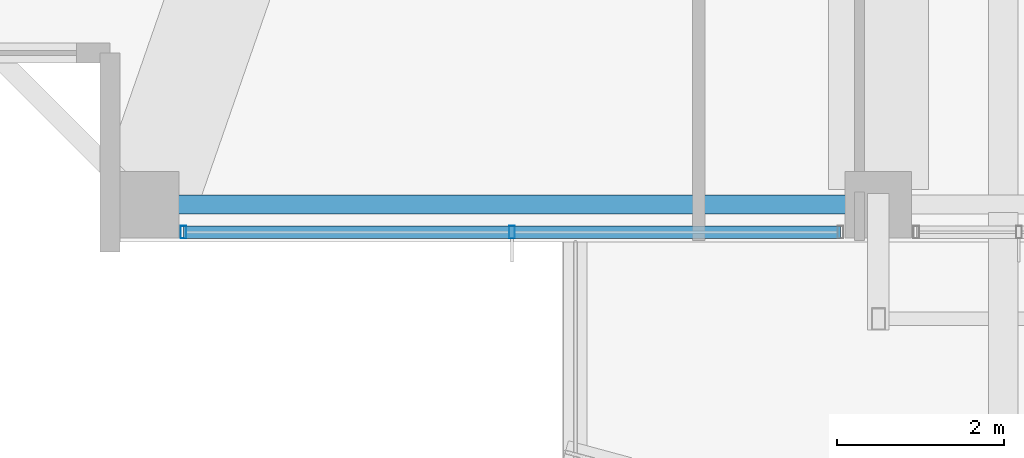
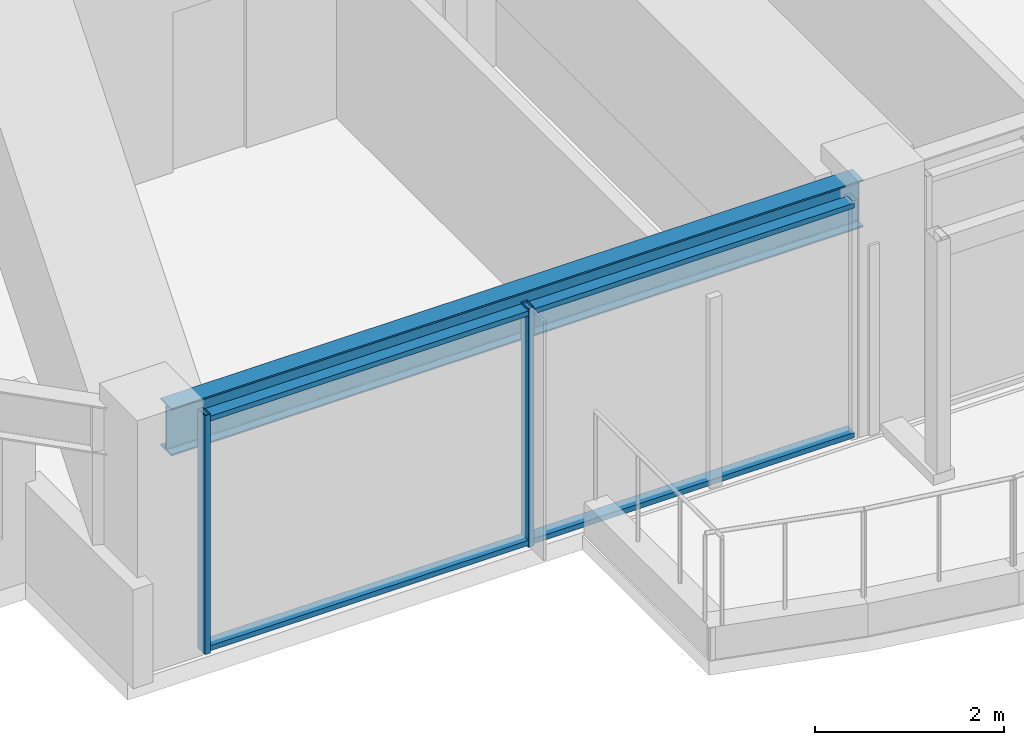
# One storey, part 2 of 37: 4 members, 1 beam, 1 element without a shape of its own.
"""IFC4 building model written with IfcOpenShell, lengths in metres."""

from ifc_helpers import new_model, si_unit, direction, frame, origin, origin_2d, place, context, subcontext, project, spatial, hollow_rectangle, i_section, extrude, material, material_profile, profile_set, type_object, element, aggregate, save


model = new_model("IFC4")

# Units and contexts
model_context = context("Model", 3, precision=1e-05, world=origin(), true_north=direction((0.0, 1.0)))
body_context = subcontext(model_context, "Body", "Model", "MODEL_VIEW")
ifc_project = project(units=[si_unit("LENGTHUNIT", "METRE"), si_unit("AREAUNIT", "SQUARE_METRE"), si_unit("VOLUMEUNIT", "CUBIC_METRE"), si_unit("PLANEANGLEUNIT", "RADIAN"), si_unit("MASSUNIT", "GRAM", prefix="KILO")], contexts=[model_context])

# Site, building, storey
site_placement = place(None, origin())
site = spatial("IfcSite", under=ifc_project, at=site_placement, CompositionType="ELEMENT")
building_placement = place(site_placement, origin())
building = spatial("IfcBuilding", under=site, at=building_placement, Name="Kolvaren Belvedere", CompositionType="ELEMENT")
storey_placement = place(building_placement, frame((0.0, 0.0, 219.60009765625)))
storey = spatial("IfcBuildingStorey", under=building, at=storey_placement, Name="L64", CompositionType="ELEMENT", Elevation=219.60009765625)

# Beam
ifc_material_1 = material(Name="Structural steel ASTM A992 Grade 50", Category="steel")
ifc_material_profile_1 = material_profile(ifc_material_1, i_section(OverallWidth=0.22900390625, OverallDepth=0.612060546875, WebThickness=0.011962890625, FlangeThickness=0.01953125, FilletRadius=0.01806640625, at=origin_2d()), Name="W24X84")
ifc_profile_set_1 = profile_set([ifc_material_profile_1], Name="Structural steel ASTM A992 Grade 50")
beam_type = type_object("IfcBeamType", Name="BM-SPAN-W24X84", PredefinedType="SPANDREL", material=ifc_profile_set_1)
beam_placement = place(storey_placement, frame((-13.219970703125, -19.949951171875, 2.77392578125), z_axis=(1.0, 0.0, 0.0), x_axis=(0.0, 1.0, 0.0)))
element("IfcBeam", 1, at=beam_placement, inside=storey, type_object=beam_type, Name="L64 Perimeter Spandrel S1-S2", PredefinedType="SPANDREL", context=body_context, shape_type="SweptSolid", body=[
    extrude(i_section(OverallWidth=0.22900390625, OverallDepth=0.612060546875, WebThickness=0.011962890625, FlangeThickness=0.01953125, FilletRadius=0.01806640625, at=origin_2d()), origin(), (0.0, 0.0, 1.0), 8.43994140625),
])

# Curtain wall, members
ifc_material_2 = material(Name="Anodised pale-metal aluminium AA 6063-T6", Category="aluminium")
curtain_wall_type = type_object("IfcCurtainWallType", Name="CW-Z5-HIGH", PredefinedType="NOTDEFINED", material=ifc_material_2)
curtain_wall_placement = place(storey_placement, origin())
curtain_wall = element("IfcCurtainWall", 2, at=curtain_wall_placement, inside=storey, type_object=curtain_wall_type, Name="L64 Unitised Curtain Wall FCW-L64-S2-B2", PredefinedType="NOTDEFINED")
ifc_material_3 = material(Name="Anodised pale-metal aluminium AA 6063-T6", Category="aluminium")
ifc_material_profile_2 = material_profile(ifc_material_3, hollow_rectangle(XDim=0.070068359375, YDim=0.14990234375, WallThickness=0.004150390625, at=origin_2d()), Name="ALU-MUL-150X70")
ifc_profile_set_2 = profile_set([ifc_material_profile_2], Name="Anodised pale-metal aluminium AA 6063-T6")
member_type_1 = type_object("IfcMemberType", Name="CW-MUL-150", PredefinedType="MULLION", material=ifc_profile_set_2)
member_1_placement = place(storey_placement, frame((-9.0, -20.280029296875, 0.0), z_axis=(0.0, 0.0, 1.0), x_axis=(1.0, 0.0, 0.0)))
member_1 = element("IfcMember", 3, at=member_1_placement, type_object=member_type_1, Name="FCW-L64-S2-B2 Unitised Mullion 2", PredefinedType="MULLION", context=body_context, shape_type="SweptSolid", body=[
    extrude(hollow_rectangle(XDim=0.070068359375, YDim=0.14990234375, WallThickness=0.004150390625, at=origin_2d()), origin(), (0.0, 0.0, 1.0), 3.079833984375),
])
member_2_placement = place(storey_placement, frame((-12.945068359375, -20.280029296875, 0.0), z_axis=(0.0, 0.0, 1.0), x_axis=(1.0, 0.0, 0.0)))
member_2 = element("IfcMember", 4, at=member_2_placement, type_object=member_type_1, Name="FCW-L64-S2-B2 Unitised Mullion 3", PredefinedType="MULLION", context=body_context, shape_type="SweptSolid", body=[
    extrude(hollow_rectangle(XDim=0.070068359375, YDim=0.14990234375, WallThickness=0.004150390625, at=origin_2d()), origin(), (0.0, 0.0, 1.0), 3.079833984375),
])
ifc_material_4 = material(Name="Anodised pale-metal aluminium AA 6063-T6", Category="aluminium")
ifc_material_profile_3 = material_profile(ifc_material_4, hollow_rectangle(XDim=0.06494140625, YDim=0.14990234375, WallThickness=0.00390625, at=origin_2d()), Name="ALU-TRN-150X65")
ifc_profile_set_3 = profile_set([ifc_material_profile_3], Name="Anodised pale-metal aluminium AA 6063-T6")
member_type_2 = type_object("IfcMemberType", Name="CW-TRN-150", PredefinedType="USERDEFINED", material=ifc_profile_set_3)
member_3_placement = place(storey_placement, frame((-5.054931640625, -20.280029296875, 0.059814453125), z_axis=(-1.0, 0.0, 0.0), x_axis=(0.0, 0.0, 1.0)))
member_3 = element("IfcMember", 5, at=member_3_placement, type_object=member_type_2, Name="FCW-L64-S2-B2 Sill Transom", ObjectType="TRANSOM", PredefinedType="USERDEFINED", context=body_context, shape_type="SweptSolid", body=[
    extrude(hollow_rectangle(XDim=0.06494140625, YDim=0.14990234375, WallThickness=0.00390625, at=origin_2d()), origin(), (0.0, 0.0, 1.0), 7.89013671875),
])
member_4_placement = place(storey_placement, frame((-5.054931640625, -20.280029296875, 3.02001953125), z_axis=(-1.0, 0.0, 0.0), x_axis=(0.0, 0.0, 1.0)))
member_4 = element("IfcMember", 6, at=member_4_placement, type_object=member_type_2, Name="FCW-L64-S2-B2 Head Transom", ObjectType="TRANSOM", PredefinedType="USERDEFINED", context=body_context, shape_type="SweptSolid", body=[
    extrude(hollow_rectangle(XDim=0.06494140625, YDim=0.14990234375, WallThickness=0.00390625, at=origin_2d()), origin(), (0.0, 0.0, 1.0), 7.89013671875),
])
aggregate(curtain_wall, [member_1, member_2, member_3, member_4])

save(model, "model.ifc")
